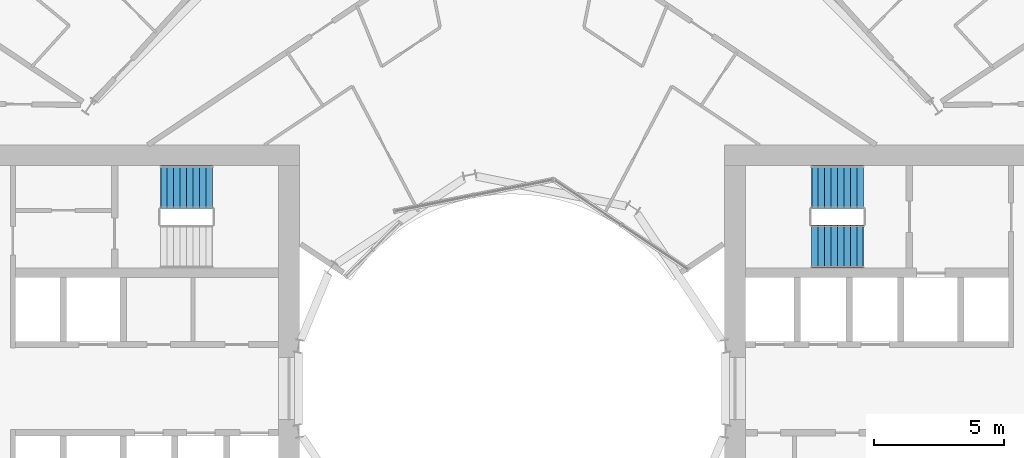
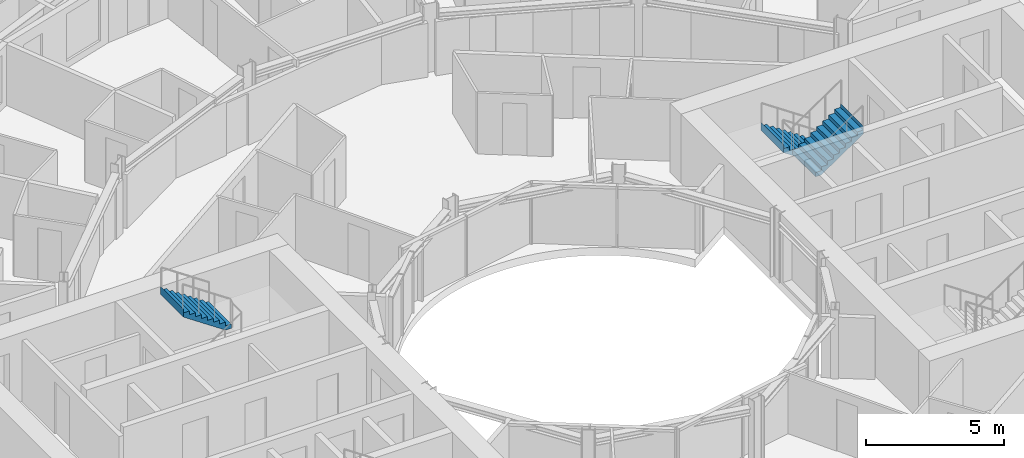
# One storey, part 24 of 26: 3 stair flights, 2 elements without a shape of their own.
"""IFC4 building model written with IfcOpenShell, lengths in metres."""

import ifcopenshell
import ifcopenshell.guid

model = None  # the IFC model being written
_history = None  # IfcOwnerHistory: only IFC2X3 demands one
_inside = {}  # id of a spatial element -> (the spatial element, [elements in it])
_under = {}  # id of a project, library or spatial element -> (it, [spatial elements below it])
_declared = {}  # id of a project -> (the project, [libraries it declares])
_typed = {}  # id of a type object -> (the type object, [elements of that type])
_made_of = {}  # id of a material, layer set ... -> (it, [elements and type objects made of it])


def new_model(schema):
    """Start an empty IFC model of exactly this schema.

    Asked for "IFC4X3", IfcOpenShell would pick the latest addendum, in which some entities
    have other attributes; the version numbers below select the first issue.
    IFC2X3 requires an IfcOwnerHistory on every rooted entity: one is made here for all.
    """
    global model, _history
    if schema == "IFC4X3":
        model = ifcopenshell.file(schema_version=(4, 3, 0, 0))
    else:
        model = ifcopenshell.file(schema=schema)
    _inside.clear()
    _under.clear()
    _declared.clear()
    _typed.clear()
    _made_of.clear()
    _history = None
    if model.schema == "IFC2X3":
        org = make("IfcOrganization", Name="unknown")
        user = make(
            "IfcPersonAndOrganization",
            ThePerson=make("IfcPerson", FamilyName="unknown"),
            TheOrganization=org,
        )
        app = make(
            "IfcApplication",
            ApplicationDeveloper=org,
            Version="unknown",
            ApplicationFullName="unknown",
            ApplicationIdentifier="unknown",
        )
        _history = make(
            "IfcOwnerHistory",
            OwningUser=user,
            OwningApplication=app,
            ChangeAction="ADDED",
            CreationDate=0,
        )
    return model


def make(cls, **values):
    """One entity of the class cls with the attributes given. An attribute that is None is left unset."""
    return model.create_entity(
        cls, **{name: value for name, value in values.items() if value is not None}
    )


def rooted(cls, **values):
    """An entity with a GlobalId (a new one), such as an element, a storey or a relation."""
    return make(cls, GlobalId=ifcopenshell.guid.new(), OwnerHistory=_history, **values)


def si_unit(unit_type, name, prefix=None):
    """IfcSIUnit, for example si_unit("LENGTHUNIT", "METRE", prefix="MILLI")."""
    return make("IfcSIUnit", UnitType=unit_type, Prefix=prefix, Name=name)


def assignment(units):
    """IfcUnitAssignment: the units of a project."""
    return None if units is None else make("IfcUnitAssignment", Units=units)


def point(xyz):
    """IfcCartesianPoint."""
    return None if xyz is None else make("IfcCartesianPoint", Coordinates=xyz)


def direction(xyz):
    """IfcDirection."""
    return None if xyz is None else make("IfcDirection", DirectionRatios=xyz)


def frame(location, z_axis=None, x_axis=None):
    """IfcAxis2Placement3D, a coordinate frame: its origin and axes. An axis left out is left unset."""
    return make(
        "IfcAxis2Placement3D",
        Location=point(location),
        Axis=direction(z_axis),
        RefDirection=direction(x_axis),
    )


def origin():
    """The frame at (0, 0, 0) with its axes left unset."""
    return frame((0.0, 0.0, 0.0))


def place(relative_to, where):
    """IfcLocalPlacement: puts the frame where relative to a parent placement (None: the world)."""
    return make(
        "IfcLocalPlacement", PlacementRelTo=relative_to, RelativePlacement=where
    )


def context(
    kind, dimensions, precision=None, world=None, true_north=None, identifier=None
):
    """IfcGeometricRepresentationContext, for example the 3D "Model" context."""
    return make(
        "IfcGeometricRepresentationContext",
        ContextIdentifier=identifier,
        ContextType=kind,
        CoordinateSpaceDimension=dimensions,
        Precision=precision,
        WorldCoordinateSystem=world,
        TrueNorth=true_north,
    )


def subcontext(parent, identifier, kind, view, scale=None):
    """IfcGeometricRepresentationSubContext, for example "Body" below "Model"."""
    return make(
        "IfcGeometricRepresentationSubContext",
        ContextIdentifier=identifier,
        ContextType=kind,
        ParentContext=parent,
        TargetScale=scale,
        TargetView=view,
    )


def project(units=None, contexts=None):
    """IfcProject with its units and contexts."""
    return rooted(
        "IfcProject",
        Name="project",
        RepresentationContexts=contexts,
        UnitsInContext=assignment(units),
    )


def spatial(cls, under=None, at=None, **own):
    """A site, building, storey or space (cls), placed at a placement, below another one or the project."""
    s = rooted(cls, ObjectPlacement=at, **own)
    if under is not None:
        _under.setdefault(under.id(), (under, []))[1].append(s)
    return s


def point_list(points):
    """IfcCartesianPointList2D or 3D."""
    cls = (
        "IfcCartesianPointList2D" if len(points[0]) == 2 else "IfcCartesianPointList3D"
    )
    return make(cls, CoordList=points)


def triangles(points, corners, closed=None, point_numbers=None):
    """IfcTriangulatedFaceSet: each triangle names its three corners, points numbered from 1."""
    return make(
        "IfcTriangulatedFaceSet",
        Coordinates=point_list(points),
        Closed=closed,
        CoordIndex=corners,
        PnIndex=point_numbers,
    )


def shape(context_of_items, identifier, shape_type, items):
    """IfcShapeRepresentation: the items that make up one representation, for example the "Body"."""
    return make(
        "IfcShapeRepresentation",
        ContextOfItems=context_of_items,
        RepresentationIdentifier=identifier,
        RepresentationType=shape_type,
        Items=items,
    )


def material(Name=None, Category=None):
    """IfcMaterial."""
    return make("IfcMaterial", Name=Name, Category=Category)


def made_of(thing, what):
    """Note that an element or type object is made of a material, layer set ...; save() writes the relation."""
    if what is not None:
        _made_of.setdefault(what.id(), (what, []))[1].append(thing)
    return thing


def type_object(cls, material=None, **own):
    """A type object (cls), such as IfcWallType, which elements share."""
    return made_of(rooted(cls, **own), material)


def element(
    cls,
    number,
    at=None,
    inside=None,
    cuts=None,
    type_object=None,
    material=None,
    context=None,
    identifier="Body",
    shape_type=None,
    held_by="IfcProductDefinitionShape",
    body=None,
    shapes=None,
    **own,
):
    """One element of the class cls, such as IfcWall. Its Tag is "e" and its number.

    at: its placement. inside: the storey or other place that contains it. cuts: it is an
    opening in that element (IfcRelVoidsElement). A single representation is given by context,
    identifier, shape_type and body (its items); several are given by shapes. held_by: the class
    of the entity that holds the representations. save() writes the other relations.
    """
    e = rooted(cls, Tag="e%d" % number, ObjectPlacement=at, **own)
    if body is not None:
        shapes = [shape(context, identifier, shape_type, body)]
    if shapes is not None:
        e.Representation = make(held_by, Representations=shapes)
    if inside is not None:
        _inside.setdefault(inside.id(), (inside, []))[1].append(e)
    if cuts is not None:
        rooted(
            "IfcRelVoidsElement", RelatingBuildingElement=cuts, RelatedOpeningElement=e
        )
    if type_object is not None:
        _typed.setdefault(type_object.id(), (type_object, []))[1].append(e)
    return made_of(e, material)


def aggregate(whole, parts):
    """IfcRelAggregates: a whole, such as a stair, and the parts it consists of."""
    return rooted("IfcRelAggregates", RelatingObject=whole, RelatedObjects=parts)


def save(model, path):
    """Write the relations noted so far, then the file.

    IfcRelAggregates (storeys below a building ...), IfcRelContainedInSpatialStructure (elements
    in a storey), IfcRelDefinesByType, IfcRelAssociatesMaterial and IfcRelDeclares: one each for
    every whole, place, type object, material and project.
    """
    for whole, parts in _under.values():
        aggregate(whole, parts)
    for where, things in _inside.values():
        rooted(
            "IfcRelContainedInSpatialStructure",
            RelatedElements=things,
            RelatingStructure=where,
        )
    for kind, things in _typed.values():
        rooted("IfcRelDefinesByType", RelatedObjects=things, RelatingType=kind)
    for what, things in _made_of.values():
        rooted("IfcRelAssociatesMaterial", RelatedObjects=things, RelatingMaterial=what)
    for by, libraries in _declared.values():
        rooted("IfcRelDeclares", RelatingContext=by, RelatedDefinitions=libraries)
    model.write(path)


model = new_model("IFC4")

# Units and contexts
model_context = context("Model", 3, precision=1e-05, world=origin(), true_north=direction((0.0, 1.0)))
body_context = subcontext(model_context, "Body", "Model", "MODEL_VIEW")
ifc_project = project(units=[si_unit("LENGTHUNIT", "METRE"), si_unit("AREAUNIT", "SQUARE_METRE"), si_unit("VOLUMEUNIT", "CUBIC_METRE"), si_unit("PLANEANGLEUNIT", "RADIAN"), si_unit("MASSUNIT", "GRAM", prefix="KILO")], contexts=[model_context])

# Site, building, storey
site_placement = place(None, origin())
site = spatial("IfcSite", under=ifc_project, at=site_placement, CompositionType="ELEMENT")
building_placement = place(site_placement, origin())
building = spatial("IfcBuilding", under=site, at=building_placement, Name="Maasbend Ring Residences", CompositionType="ELEMENT")
storey_placement = place(building_placement, frame((0.0, 0.0, 28.89990234375)))
storey = spatial("IfcBuildingStorey", under=building, at=storey_placement, Name="L07", CompositionType="ELEMENT", Elevation=28.89990234375)

# Stair, stair flights
ifc_material_1 = material(Name="Concrete C40/50", Category="concrete")
stair_type = type_object("IfcStairType", Name="CORE STAIR 18 RISERS", PredefinedType="HALF_TURN_STAIR", material=ifc_material_1)
stair_1_placement = place(storey_placement, origin())
stair_1 = element("IfcStair", 1, at=stair_1_placement, inside=storey, type_object=stair_type, Name="L07 Exit stair ST-E1", PredefinedType="HALF_TURN_STAIR")
ifc_material_2 = material(Name="Concrete C40/50", Category="concrete")
stair_flight_type = type_object("IfcStairFlightType", Name="CORE STAIR FLIGHT 1650", PredefinedType="STRAIGHT", material=ifc_material_2)
stair_flight_1_placement = place(storey_placement, frame((13.550048828125, 7.77490234375, 0.0), z_axis=(0.0, 0.0, 1.0), x_axis=(-1.0, 0.0, 0.0)))
stair_flight_1 = element("IfcStairFlight", 2, at=stair_flight_1_placement, type_object=stair_flight_type, Name="ST-E1 flight 1", NumberOfRisers=9, NumberOfTreads=8, PredefinedType="STRAIGHT", RiserHeight=0.169444444, TreadLength=0.25, context=body_context, shape_type="Tessellation", body=[
    triangles([(0.24072265625, 0.824951171875, -0.02001953125), (2.0029296875, 0.824951171875, 1.174560546875), (2.0029296875, 0.824951171875, 1.52490234375), (1.989990234375, 0.824951171875, 1.35546875), (1.75, 0.824951171875, 1.35546875), (1.75, 0.824951171875, 1.18603515625), (1.5, 0.824951171875, 1.18603515625), (1.5, 0.824951171875, 1.0166015625), (1.25, 0.824951171875, 1.0166015625), (1.25, 0.824951171875, 0.84716796875), (1.0, 0.824951171875, 0.84716796875), (1.0, 0.824951171875, 0.677734375), (0.75, 0.824951171875, 0.677734375), (0.75, 0.824951171875, 0.50830078125), (0.5, 0.824951171875, 0.50830078125), (0.5, 0.824951171875, 0.3388671875), (0.25, 0.824951171875, 0.3388671875), (0.25, 0.824951171875, 0.16943359375), (0.0, 0.824951171875, 0.16943359375), (0.0, 0.824951171875, 0.0), (-0.0029296875, 0.824951171875, 0.0), (-0.0029296875, 0.824951171875, -0.02001953125), (0.24072265625, 0.27490234375, -0.02001953125), (2.0029296875, 0.27490234375, 1.174560546875), (2.0029296875, 0.27490234375, 1.52490234375), (1.989990234375, 0.27490234375, 1.35546875), (1.75, 0.27490234375, 1.35546875), (1.75, 0.27490234375, 1.18603515625), (1.5, 0.27490234375, 1.18603515625), (1.5, 0.27490234375, 1.0166015625), (1.25, 0.27490234375, 1.0166015625), (1.25, 0.27490234375, 0.84716796875), (1.0, 0.27490234375, 0.84716796875), (1.0, 0.27490234375, 0.677734375), (0.75, 0.27490234375, 0.677734375), (0.75, 0.27490234375, 0.50830078125), (0.5, 0.27490234375, 0.50830078125), (0.5, 0.27490234375, 0.3388671875), (0.25, 0.27490234375, 0.3388671875), (0.25, 0.27490234375, 0.16943359375), (0.0, 0.27490234375, 0.16943359375), (0.0, 0.27490234375, 0.0), (-0.0029296875, 0.27490234375, 0.0), (-0.0029296875, 0.27490234375, -0.02001953125), (0.24072265625, -0.27490234375, -0.02001953125), (2.0029296875, -0.27490234375, 1.174560546875), (2.0029296875, -0.27490234375, 1.52490234375), (1.989990234375, -0.27490234375, 1.35546875), (1.75, -0.27490234375, 1.35546875), (1.75, -0.27490234375, 1.18603515625), (1.5, -0.27490234375, 1.18603515625), (1.5, -0.27490234375, 1.0166015625), (1.25, -0.27490234375, 1.0166015625), (1.25, -0.27490234375, 0.84716796875), (1.0, -0.27490234375, 0.84716796875), (1.0, -0.27490234375, 0.677734375), (0.75, -0.27490234375, 0.677734375), (0.75, -0.27490234375, 0.50830078125), (0.5, -0.27490234375, 0.50830078125), (0.5, -0.27490234375, 0.3388671875), (0.25, -0.27490234375, 0.3388671875), (0.25, -0.27490234375, 0.16943359375), (0.0, -0.27490234375, 0.16943359375), (0.0, -0.27490234375, 0.0), (-0.0029296875, -0.27490234375, 0.0), (-0.0029296875, -0.27490234375, -0.02001953125), (0.24072265625, -0.824951171875, -0.02001953125), (2.0029296875, -0.824951171875, 1.174560546875), (2.0029296875, -0.824951171875, 1.52490234375), (1.989990234375, -0.824951171875, 1.35546875), (1.75, -0.824951171875, 1.35546875), (1.75, -0.824951171875, 1.18603515625), (1.5, -0.824951171875, 1.18603515625), (1.5, -0.824951171875, 1.0166015625), (1.25, -0.824951171875, 1.0166015625), (1.25, -0.824951171875, 0.84716796875), (1.0, -0.824951171875, 0.84716796875), (1.0, -0.824951171875, 0.677734375), (0.75, -0.824951171875, 0.677734375), (0.75, -0.824951171875, 0.50830078125), (0.5, -0.824951171875, 0.50830078125), (0.5, -0.824951171875, 0.3388671875), (0.25, -0.824951171875, 0.3388671875), (0.25, -0.824951171875, 0.16943359375), (0.0, -0.824951171875, 0.16943359375), (0.0, -0.824951171875, 0.0), (-0.0029296875, -0.824951171875, 0.0), (-0.0029296875, -0.824951171875, -0.02001953125)], [[1, 2, 24], [1, 24, 23], [23, 24, 46], [23, 46, 45], [45, 46, 68], [45, 68, 67], [2, 3, 25], [2, 25, 24], [24, 25, 47], [24, 47, 46], [46, 47, 69], [46, 69, 68], [3, 4, 26], [3, 26, 25], [25, 26, 48], [25, 48, 47], [47, 48, 70], [47, 70, 69], [4, 5, 27], [4, 27, 26], [26, 27, 49], [26, 49, 48], [48, 49, 71], [48, 71, 70], [5, 6, 28], [5, 28, 27], [27, 28, 50], [27, 50, 49], [49, 50, 72], [49, 72, 71], [6, 7, 29], [6, 29, 28], [28, 29, 51], [28, 51, 50], [50, 51, 73], [50, 73, 72], [7, 8, 30], [7, 30, 29], [29, 30, 52], [29, 52, 51], [51, 52, 74], [51, 74, 73], [8, 9, 31], [8, 31, 30], [30, 31, 53], [30, 53, 52], [52, 53, 75], [52, 75, 74], [9, 10, 32], [9, 32, 31], [31, 32, 54], [31, 54, 53], [53, 54, 76], [53, 76, 75], [10, 11, 33], [10, 33, 32], [32, 33, 55], [32, 55, 54], [54, 55, 77], [54, 77, 76], [11, 12, 34], [11, 34, 33], [33, 34, 56], [33, 56, 55], [55, 56, 78], [55, 78, 77], [12, 13, 35], [12, 35, 34], [34, 35, 57], [34, 57, 56], [56, 57, 79], [56, 79, 78], [13, 14, 36], [13, 36, 35], [35, 36, 58], [35, 58, 57], [57, 58, 80], [57, 80, 79], [14, 15, 37], [14, 37, 36], [36, 37, 59], [36, 59, 58], [58, 59, 81], [58, 81, 80], [15, 16, 38], [15, 38, 37], [37, 38, 60], [37, 60, 59], [59, 60, 82], [59, 82, 81], [16, 17, 39], [16, 39, 38], [38, 39, 61], [38, 61, 60], [60, 61, 83], [60, 83, 82], [17, 18, 40], [17, 40, 39], [39, 40, 62], [39, 62, 61], [61, 62, 84], [61, 84, 83], [18, 19, 41], [18, 41, 40], [40, 41, 63], [40, 63, 62], [62, 63, 85], [62, 85, 84], [19, 20, 42], [19, 42, 41], [41, 42, 64], [41, 64, 63], [63, 64, 86], [63, 86, 85], [20, 21, 43], [20, 43, 42], [42, 43, 65], [42, 65, 64], [64, 65, 87], [64, 87, 86], [21, 22, 44], [21, 44, 43], [43, 44, 66], [43, 66, 65], [65, 66, 88], [65, 88, 87], [22, 1, 23], [22, 23, 44], [44, 23, 45], [44, 45, 66], [66, 45, 67], [66, 67, 88], [22, 2, 1], [2, 4, 3], [2, 5, 4], [2, 6, 5], [22, 6, 2], [6, 8, 7], [22, 8, 6], [8, 10, 9], [22, 10, 8], [10, 12, 11], [22, 12, 10], [12, 14, 13], [22, 14, 12], [14, 16, 15], [22, 16, 14], [16, 18, 17], [22, 18, 16], [18, 20, 19], [22, 20, 18], [20, 22, 21], [88, 67, 68], [68, 69, 70], [68, 70, 71], [68, 71, 72], [88, 68, 72], [72, 73, 74], [88, 72, 74], [74, 75, 76], [88, 74, 76], [76, 77, 78], [88, 76, 78], [78, 79, 80], [88, 78, 80], [80, 81, 82], [88, 80, 82], [82, 83, 84], [88, 82, 84], [84, 85, 86], [88, 84, 86], [86, 87, 88]], closed=True),
])
stair_flight_2_placement = place(storey_placement, frame((11.550048828125, 5.47509765625, 1.525146484375), z_axis=(0.0, 0.0, 1.0), x_axis=(1.0, 0.0, 0.0)))
stair_flight_2 = element("IfcStairFlight", 3, at=stair_flight_2_placement, type_object=stair_flight_type, Name="ST-E1 flight 2", NumberOfRisers=9, NumberOfTreads=8, PredefinedType="STRAIGHT", RiserHeight=0.169444444, TreadLength=0.25, context=body_context, shape_type="Tessellation", body=[
    triangles([(0.24072265625, 0.824951171875, -0.02001953125), (2.0029296875, 0.824951171875, 1.174560546875), (2.0029296875, 0.824951171875, 1.52490234375), (1.989990234375, 0.824951171875, 1.35546875), (1.75, 0.824951171875, 1.35546875), (1.75, 0.824951171875, 1.18603515625), (1.5, 0.824951171875, 1.18603515625), (1.5, 0.824951171875, 1.0166015625), (1.25, 0.824951171875, 1.0166015625), (1.25, 0.824951171875, 0.84716796875), (1.0, 0.824951171875, 0.84716796875), (1.0, 0.824951171875, 0.677734375), (0.75, 0.824951171875, 0.677734375), (0.75, 0.824951171875, 0.50830078125), (0.5, 0.824951171875, 0.50830078125), (0.5, 0.824951171875, 0.3388671875), (0.25, 0.824951171875, 0.3388671875), (0.25, 0.824951171875, 0.16943359375), (0.0, 0.824951171875, 0.16943359375), (0.0, 0.824951171875, 0.0), (-0.0029296875, 0.824951171875, 0.0), (-0.0029296875, 0.824951171875, -0.02001953125), (0.24072265625, 0.27490234375, -0.02001953125), (2.0029296875, 0.27490234375, 1.174560546875), (2.0029296875, 0.27490234375, 1.52490234375), (1.989990234375, 0.27490234375, 1.35546875), (1.75, 0.27490234375, 1.35546875), (1.75, 0.27490234375, 1.18603515625), (1.5, 0.27490234375, 1.18603515625), (1.5, 0.27490234375, 1.0166015625), (1.25, 0.27490234375, 1.0166015625), (1.25, 0.27490234375, 0.84716796875), (1.0, 0.27490234375, 0.84716796875), (1.0, 0.27490234375, 0.677734375), (0.75, 0.27490234375, 0.677734375), (0.75, 0.27490234375, 0.50830078125), (0.5, 0.27490234375, 0.50830078125), (0.5, 0.27490234375, 0.3388671875), (0.25, 0.27490234375, 0.3388671875), (0.25, 0.27490234375, 0.16943359375), (0.0, 0.27490234375, 0.16943359375), (0.0, 0.27490234375, 0.0), (-0.0029296875, 0.27490234375, 0.0), (-0.0029296875, 0.27490234375, -0.02001953125), (0.24072265625, -0.27490234375, -0.02001953125), (2.0029296875, -0.27490234375, 1.174560546875), (2.0029296875, -0.27490234375, 1.52490234375), (1.989990234375, -0.27490234375, 1.35546875), (1.75, -0.27490234375, 1.35546875), (1.75, -0.27490234375, 1.18603515625), (1.5, -0.27490234375, 1.18603515625), (1.5, -0.27490234375, 1.0166015625), (1.25, -0.27490234375, 1.0166015625), (1.25, -0.27490234375, 0.84716796875), (1.0, -0.27490234375, 0.84716796875), (1.0, -0.27490234375, 0.677734375), (0.75, -0.27490234375, 0.677734375), (0.75, -0.27490234375, 0.50830078125), (0.5, -0.27490234375, 0.50830078125), (0.5, -0.27490234375, 0.3388671875), (0.25, -0.27490234375, 0.3388671875), (0.25, -0.27490234375, 0.16943359375), (0.0, -0.27490234375, 0.16943359375), (0.0, -0.27490234375, 0.0), (-0.0029296875, -0.27490234375, 0.0), (-0.0029296875, -0.27490234375, -0.02001953125), (0.24072265625, -0.824951171875, -0.02001953125), (2.0029296875, -0.824951171875, 1.174560546875), (2.0029296875, -0.824951171875, 1.52490234375), (1.989990234375, -0.824951171875, 1.35546875), (1.75, -0.824951171875, 1.35546875), (1.75, -0.824951171875, 1.18603515625), (1.5, -0.824951171875, 1.18603515625), (1.5, -0.824951171875, 1.0166015625), (1.25, -0.824951171875, 1.0166015625), (1.25, -0.824951171875, 0.84716796875), (1.0, -0.824951171875, 0.84716796875), (1.0, -0.824951171875, 0.677734375), (0.75, -0.824951171875, 0.677734375), (0.75, -0.824951171875, 0.50830078125), (0.5, -0.824951171875, 0.50830078125), (0.5, -0.824951171875, 0.3388671875), (0.25, -0.824951171875, 0.3388671875), (0.25, -0.824951171875, 0.16943359375), (0.0, -0.824951171875, 0.16943359375), (0.0, -0.824951171875, 0.0), (-0.0029296875, -0.824951171875, 0.0), (-0.0029296875, -0.824951171875, -0.02001953125)], [[1, 2, 24], [1, 24, 23], [23, 24, 46], [23, 46, 45], [45, 46, 68], [45, 68, 67], [2, 3, 25], [2, 25, 24], [24, 25, 47], [24, 47, 46], [46, 47, 69], [46, 69, 68], [3, 4, 26], [3, 26, 25], [25, 26, 48], [25, 48, 47], [47, 48, 70], [47, 70, 69], [4, 5, 27], [4, 27, 26], [26, 27, 49], [26, 49, 48], [48, 49, 71], [48, 71, 70], [5, 6, 28], [5, 28, 27], [27, 28, 50], [27, 50, 49], [49, 50, 72], [49, 72, 71], [6, 7, 29], [6, 29, 28], [28, 29, 51], [28, 51, 50], [50, 51, 73], [50, 73, 72], [7, 8, 30], [7, 30, 29], [29, 30, 52], [29, 52, 51], [51, 52, 74], [51, 74, 73], [8, 9, 31], [8, 31, 30], [30, 31, 53], [30, 53, 52], [52, 53, 75], [52, 75, 74], [9, 10, 32], [9, 32, 31], [31, 32, 54], [31, 54, 53], [53, 54, 76], [53, 76, 75], [10, 11, 33], [10, 33, 32], [32, 33, 55], [32, 55, 54], [54, 55, 77], [54, 77, 76], [11, 12, 34], [11, 34, 33], [33, 34, 56], [33, 56, 55], [55, 56, 78], [55, 78, 77], [12, 13, 35], [12, 35, 34], [34, 35, 57], [34, 57, 56], [56, 57, 79], [56, 79, 78], [13, 14, 36], [13, 36, 35], [35, 36, 58], [35, 58, 57], [57, 58, 80], [57, 80, 79], [14, 15, 37], [14, 37, 36], [36, 37, 59], [36, 59, 58], [58, 59, 81], [58, 81, 80], [15, 16, 38], [15, 38, 37], [37, 38, 60], [37, 60, 59], [59, 60, 82], [59, 82, 81], [16, 17, 39], [16, 39, 38], [38, 39, 61], [38, 61, 60], [60, 61, 83], [60, 83, 82], [17, 18, 40], [17, 40, 39], [39, 40, 62], [39, 62, 61], [61, 62, 84], [61, 84, 83], [18, 19, 41], [18, 41, 40], [40, 41, 63], [40, 63, 62], [62, 63, 85], [62, 85, 84], [19, 20, 42], [19, 42, 41], [41, 42, 64], [41, 64, 63], [63, 64, 86], [63, 86, 85], [20, 21, 43], [20, 43, 42], [42, 43, 65], [42, 65, 64], [64, 65, 87], [64, 87, 86], [21, 22, 44], [21, 44, 43], [43, 44, 66], [43, 66, 65], [65, 66, 88], [65, 88, 87], [22, 1, 23], [22, 23, 44], [44, 23, 45], [44, 45, 66], [66, 45, 67], [66, 67, 88], [22, 2, 1], [2, 4, 3], [2, 5, 4], [2, 6, 5], [22, 6, 2], [6, 8, 7], [22, 8, 6], [8, 10, 9], [22, 10, 8], [10, 12, 11], [22, 12, 10], [12, 14, 13], [22, 14, 12], [14, 16, 15], [22, 16, 14], [16, 18, 17], [22, 18, 16], [18, 20, 19], [22, 20, 18], [20, 22, 21], [88, 67, 68], [68, 69, 70], [68, 70, 71], [68, 71, 72], [88, 68, 72], [72, 73, 74], [88, 72, 74], [74, 75, 76], [88, 74, 76], [76, 77, 78], [88, 76, 78], [78, 79, 80], [88, 78, 80], [80, 81, 82], [88, 80, 82], [82, 83, 84], [88, 82, 84], [84, 85, 86], [88, 84, 86], [86, 87, 88]], closed=True),
])
aggregate(stair_1, [stair_flight_1, stair_flight_2])

# Stair, stair flight
stair_2_placement = place(storey_placement, origin())
stair_2 = element("IfcStair", 4, at=stair_2_placement, inside=storey, type_object=stair_type, Name="L07 Exit stair ST-W2", PredefinedType="HALF_TURN_STAIR")
stair_flight_3_placement = place(storey_placement, frame((-11.550048828125, 7.77490234375, 1.525146484375), z_axis=(0.0, 0.0, 1.0), x_axis=(-1.0, 0.0, 0.0)))
stair_flight_3 = element("IfcStairFlight", 5, at=stair_flight_3_placement, type_object=stair_flight_type, Name="ST-W2 flight 2", NumberOfRisers=9, NumberOfTreads=8, PredefinedType="STRAIGHT", RiserHeight=0.169444444, TreadLength=0.25, context=body_context, shape_type="Tessellation", body=[
    triangles([(0.24072265625, 0.824951171875, -0.02001953125), (2.0029296875, 0.824951171875, 1.174560546875), (2.0029296875, 0.824951171875, 1.52490234375), (1.989990234375, 0.824951171875, 1.35546875), (1.75, 0.824951171875, 1.35546875), (1.75, 0.824951171875, 1.18603515625), (1.5, 0.824951171875, 1.18603515625), (1.5, 0.824951171875, 1.0166015625), (1.25, 0.824951171875, 1.0166015625), (1.25, 0.824951171875, 0.84716796875), (1.0, 0.824951171875, 0.84716796875), (1.0, 0.824951171875, 0.677734375), (0.75, 0.824951171875, 0.677734375), (0.75, 0.824951171875, 0.50830078125), (0.5, 0.824951171875, 0.50830078125), (0.5, 0.824951171875, 0.3388671875), (0.25, 0.824951171875, 0.3388671875), (0.25, 0.824951171875, 0.16943359375), (0.0, 0.824951171875, 0.16943359375), (0.0, 0.824951171875, 0.0), (-0.0029296875, 0.824951171875, 0.0), (-0.0029296875, 0.824951171875, -0.02001953125), (0.24072265625, 0.27490234375, -0.02001953125), (2.0029296875, 0.27490234375, 1.174560546875), (2.0029296875, 0.27490234375, 1.52490234375), (1.989990234375, 0.27490234375, 1.35546875), (1.75, 0.27490234375, 1.35546875), (1.75, 0.27490234375, 1.18603515625), (1.5, 0.27490234375, 1.18603515625), (1.5, 0.27490234375, 1.0166015625), (1.25, 0.27490234375, 1.0166015625), (1.25, 0.27490234375, 0.84716796875), (1.0, 0.27490234375, 0.84716796875), (1.0, 0.27490234375, 0.677734375), (0.75, 0.27490234375, 0.677734375), (0.75, 0.27490234375, 0.50830078125), (0.5, 0.27490234375, 0.50830078125), (0.5, 0.27490234375, 0.3388671875), (0.25, 0.27490234375, 0.3388671875), (0.25, 0.27490234375, 0.16943359375), (0.0, 0.27490234375, 0.16943359375), (0.0, 0.27490234375, 0.0), (-0.0029296875, 0.27490234375, 0.0), (-0.0029296875, 0.27490234375, -0.02001953125), (0.24072265625, -0.27490234375, -0.02001953125), (2.0029296875, -0.27490234375, 1.174560546875), (2.0029296875, -0.27490234375, 1.52490234375), (1.989990234375, -0.27490234375, 1.35546875), (1.75, -0.27490234375, 1.35546875), (1.75, -0.27490234375, 1.18603515625), (1.5, -0.27490234375, 1.18603515625), (1.5, -0.27490234375, 1.0166015625), (1.25, -0.27490234375, 1.0166015625), (1.25, -0.27490234375, 0.84716796875), (1.0, -0.27490234375, 0.84716796875), (1.0, -0.27490234375, 0.677734375), (0.75, -0.27490234375, 0.677734375), (0.75, -0.27490234375, 0.50830078125), (0.5, -0.27490234375, 0.50830078125), (0.5, -0.27490234375, 0.3388671875), (0.25, -0.27490234375, 0.3388671875), (0.25, -0.27490234375, 0.16943359375), (0.0, -0.27490234375, 0.16943359375), (0.0, -0.27490234375, 0.0), (-0.0029296875, -0.27490234375, 0.0), (-0.0029296875, -0.27490234375, -0.02001953125), (0.24072265625, -0.824951171875, -0.02001953125), (2.0029296875, -0.824951171875, 1.174560546875), (2.0029296875, -0.824951171875, 1.52490234375), (1.989990234375, -0.824951171875, 1.35546875), (1.75, -0.824951171875, 1.35546875), (1.75, -0.824951171875, 1.18603515625), (1.5, -0.824951171875, 1.18603515625), (1.5, -0.824951171875, 1.0166015625), (1.25, -0.824951171875, 1.0166015625), (1.25, -0.824951171875, 0.84716796875), (1.0, -0.824951171875, 0.84716796875), (1.0, -0.824951171875, 0.677734375), (0.75, -0.824951171875, 0.677734375), (0.75, -0.824951171875, 0.50830078125), (0.5, -0.824951171875, 0.50830078125), (0.5, -0.824951171875, 0.3388671875), (0.25, -0.824951171875, 0.3388671875), (0.25, -0.824951171875, 0.16943359375), (0.0, -0.824951171875, 0.16943359375), (0.0, -0.824951171875, 0.0), (-0.0029296875, -0.824951171875, 0.0), (-0.0029296875, -0.824951171875, -0.02001953125)], [[1, 2, 24], [1, 24, 23], [23, 24, 46], [23, 46, 45], [45, 46, 68], [45, 68, 67], [2, 3, 25], [2, 25, 24], [24, 25, 47], [24, 47, 46], [46, 47, 69], [46, 69, 68], [3, 4, 26], [3, 26, 25], [25, 26, 48], [25, 48, 47], [47, 48, 70], [47, 70, 69], [4, 5, 27], [4, 27, 26], [26, 27, 49], [26, 49, 48], [48, 49, 71], [48, 71, 70], [5, 6, 28], [5, 28, 27], [27, 28, 50], [27, 50, 49], [49, 50, 72], [49, 72, 71], [6, 7, 29], [6, 29, 28], [28, 29, 51], [28, 51, 50], [50, 51, 73], [50, 73, 72], [7, 8, 30], [7, 30, 29], [29, 30, 52], [29, 52, 51], [51, 52, 74], [51, 74, 73], [8, 9, 31], [8, 31, 30], [30, 31, 53], [30, 53, 52], [52, 53, 75], [52, 75, 74], [9, 10, 32], [9, 32, 31], [31, 32, 54], [31, 54, 53], [53, 54, 76], [53, 76, 75], [10, 11, 33], [10, 33, 32], [32, 33, 55], [32, 55, 54], [54, 55, 77], [54, 77, 76], [11, 12, 34], [11, 34, 33], [33, 34, 56], [33, 56, 55], [55, 56, 78], [55, 78, 77], [12, 13, 35], [12, 35, 34], [34, 35, 57], [34, 57, 56], [56, 57, 79], [56, 79, 78], [13, 14, 36], [13, 36, 35], [35, 36, 58], [35, 58, 57], [57, 58, 80], [57, 80, 79], [14, 15, 37], [14, 37, 36], [36, 37, 59], [36, 59, 58], [58, 59, 81], [58, 81, 80], [15, 16, 38], [15, 38, 37], [37, 38, 60], [37, 60, 59], [59, 60, 82], [59, 82, 81], [16, 17, 39], [16, 39, 38], [38, 39, 61], [38, 61, 60], [60, 61, 83], [60, 83, 82], [17, 18, 40], [17, 40, 39], [39, 40, 62], [39, 62, 61], [61, 62, 84], [61, 84, 83], [18, 19, 41], [18, 41, 40], [40, 41, 63], [40, 63, 62], [62, 63, 85], [62, 85, 84], [19, 20, 42], [19, 42, 41], [41, 42, 64], [41, 64, 63], [63, 64, 86], [63, 86, 85], [20, 21, 43], [20, 43, 42], [42, 43, 65], [42, 65, 64], [64, 65, 87], [64, 87, 86], [21, 22, 44], [21, 44, 43], [43, 44, 66], [43, 66, 65], [65, 66, 88], [65, 88, 87], [22, 1, 23], [22, 23, 44], [44, 23, 45], [44, 45, 66], [66, 45, 67], [66, 67, 88], [22, 2, 1], [2, 4, 3], [2, 5, 4], [2, 6, 5], [22, 6, 2], [6, 8, 7], [22, 8, 6], [8, 10, 9], [22, 10, 8], [10, 12, 11], [22, 12, 10], [12, 14, 13], [22, 14, 12], [14, 16, 15], [22, 16, 14], [16, 18, 17], [22, 18, 16], [18, 20, 19], [22, 20, 18], [20, 22, 21], [88, 67, 68], [68, 69, 70], [68, 70, 71], [68, 71, 72], [88, 68, 72], [72, 73, 74], [88, 72, 74], [74, 75, 76], [88, 74, 76], [76, 77, 78], [88, 76, 78], [78, 79, 80], [88, 78, 80], [80, 81, 82], [88, 80, 82], [82, 83, 84], [88, 82, 84], [84, 85, 86], [88, 84, 86], [86, 87, 88]], closed=True),
])
aggregate(stair_2, [stair_flight_3])

save(model, "model.ifc")
